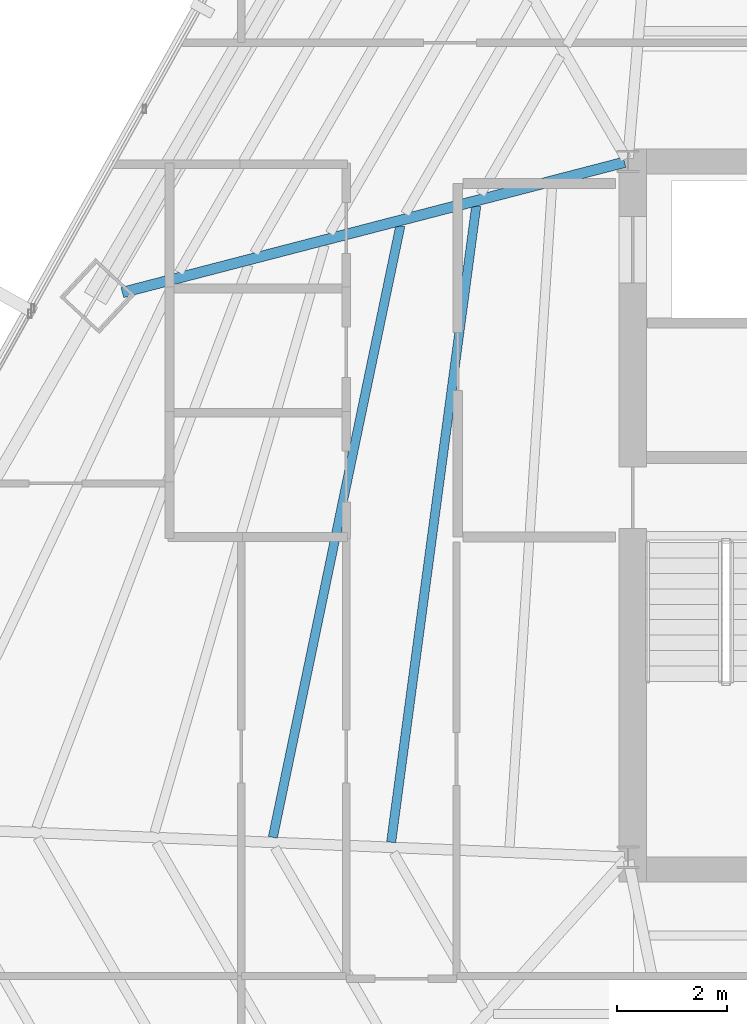
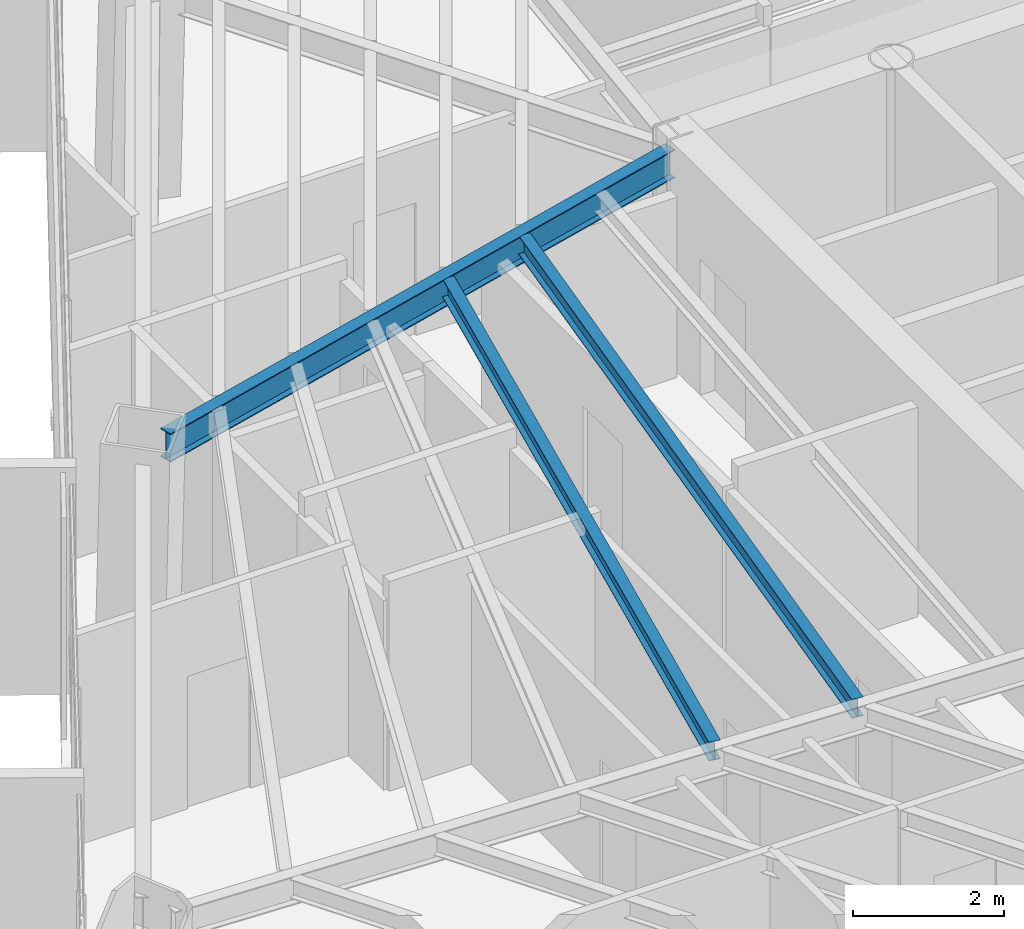
# One storey, part 13 of 38: 3 beams.
"""IFC4 building model written with IfcOpenShell, lengths in metres."""

from ifc_helpers import new_model, si_unit, direction, frame, origin, origin_2d, place, context, subcontext, project, spatial, i_section, extrude, source, transform, mapped, material, material_profile, profile_set, type_object, type_shapes, element, save


model = new_model("IFC4")

# Units and contexts
model_context = context("Model", 3, precision=1e-05, world=origin(), true_north=direction((0.0, 1.0)))
body_context = subcontext(model_context, "Body", "Model", "MODEL_VIEW")
ifc_project = project(units=[si_unit("LENGTHUNIT", "METRE"), si_unit("AREAUNIT", "SQUARE_METRE"), si_unit("VOLUMEUNIT", "CUBIC_METRE"), si_unit("PLANEANGLEUNIT", "RADIAN"), si_unit("MASSUNIT", "GRAM", prefix="KILO")], contexts=[model_context])

# Site, building, storey
site_placement = place(None, origin())
site = spatial("IfcSite", under=ifc_project, at=site_placement, CompositionType="ELEMENT")
building_placement = place(site_placement, origin())
building = spatial("IfcBuilding", under=site, at=building_placement, Name="Caelisora Broadcast Tower", CompositionType="ELEMENT")
storey_placement = place(building_placement, frame((0.0, 0.0, 158.5)))
storey = spatial("IfcBuildingStorey", under=building, at=storey_placement, Name="L41", CompositionType="ELEMENT", Elevation=158.5)

# Beams
ifc_material = material(Name="Steel Grade 350 (AS/NZS 3679.1)", Category="steel")
ifc_material_profile_1 = material_profile(ifc_material, i_section(OverallWidth=0.19091796875, OverallDepth=0.46044921875, WebThickness=0.010009765625, FlangeThickness=0.01611328125, at=origin_2d()), Name="Steel Grade 350 (AS/NZS 3679.1)")
ifc_profile_set_1 = profile_set([ifc_material_profile_1], Name="Steel Grade 350 (AS/NZS 3679.1)")
beam_type_1 = type_object("IfcBeamType", Name="PG06", PredefinedType="BEAM", material=ifc_profile_set_1)
shared_shape_1 = source(origin(), body_context, "Body", "SweptSolid", [
    extrude(i_section(OverallWidth=0.19091796875, OverallDepth=0.46044921875, WebThickness=0.010009765625, FlangeThickness=0.01611328125, at=origin_2d()), origin(), (0.0, 0.0, 1.0), 9.396728515625),
])
type_shapes(beam_type_1, [shared_shape_1])
beam_1_placement = place(storey_placement, frame((30.44189453125, 29.98486328125, 3.169921875), z_axis=(-0.967971412483, -0.251060440166, 0.0), x_axis=(0.251060440166, -0.967971412483, 0.0)))
element("IfcBeam", 1, at=beam_1_placement, inside=storey, type_object=beam_type_1, Name="L41 beam PG06", PredefinedType="BEAM", context=body_context, shape_type="MappedRepresentation", body=[
    mapped(shared_shape_1, transform((0.0, 0.0, 0.0), scale=1.0)),
])
ifc_material_profile_2 = material_profile(ifc_material, i_section(OverallWidth=0.166015625, OverallDepth=0.30712890625, WebThickness=0.006591796875, FlangeThickness=0.01171875, at=origin_2d()), Name="Steel Grade 350 (AS/NZS 3679.1)")
ifc_profile_set_2 = profile_set([ifc_material_profile_2], Name="Steel Grade 350 (AS/NZS 3679.1)")
beam_type_2 = type_object("IfcBeamType", Name="SB03", PredefinedType="JOIST", material=ifc_profile_set_2)
shared_shape_2 = source(origin(), body_context, "Body", "SweptSolid", [
    extrude(i_section(OverallWidth=0.166015625, OverallDepth=0.30712890625, WebThickness=0.006591796875, FlangeThickness=0.01171875, at=origin_2d()), origin(), (0.0, 0.0, 1.0), 11.6240234375),
])
beam_2_placement = place(storey_placement, frame((27.755126953125, 29.1923828125, 3.246337890625), z_axis=(-0.132529660569, -0.991179039866, 0.0), x_axis=(0.991179039866, -0.132529660569, 0.0)))
element("IfcBeam", 2, at=beam_2_placement, inside=storey, type_object=beam_type_2, Name="L41 beam SB03", PredefinedType="JOIST", context=body_context, shape_type="MappedRepresentation", body=[
    mapped(shared_shape_2, transform((0.0, 0.0, 0.0), scale=1.0)),
])
shared_shape_3 = source(origin(), body_context, "Body", "SweptSolid", [
    extrude(i_section(OverallWidth=0.166015625, OverallDepth=0.30712890625, WebThickness=0.006591796875, FlangeThickness=0.01171875, at=origin_2d()), origin(), (0.0, 0.0, 1.0), 11.313720703125),
])
type_shapes(beam_type_2, [shared_shape_2, shared_shape_3])
beam_3_placement = place(storey_placement, frame((26.381591796875, 28.8359375, 3.246337890625), z_axis=(-0.204093851067, -0.978951326654, 0.0), x_axis=(0.978951326654, -0.204093851067, 0.0)))
element("IfcBeam", 3, at=beam_3_placement, inside=storey, type_object=beam_type_2, Name="L41 beam SB03", PredefinedType="JOIST", context=body_context, shape_type="MappedRepresentation", body=[
    mapped(shared_shape_3, transform((0.0, 0.0, 0.0), scale=1.0)),
])

save(model, "model.ifc")
